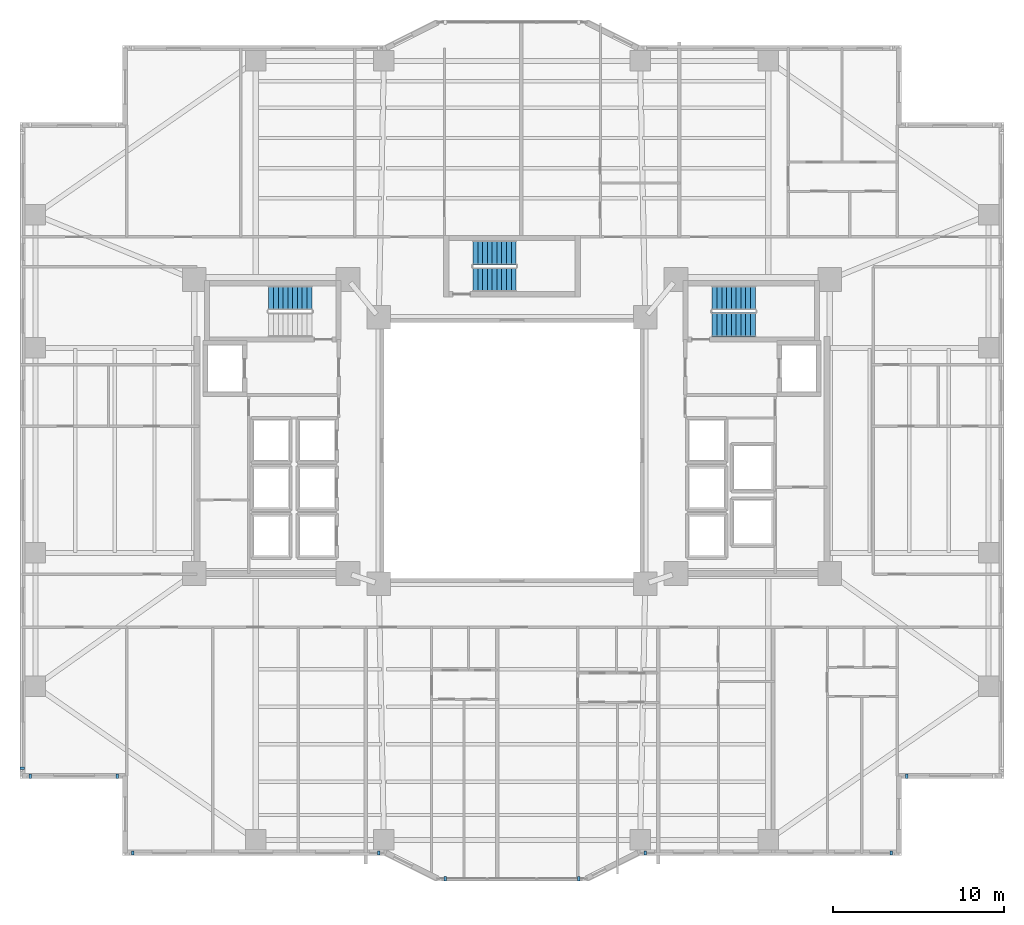
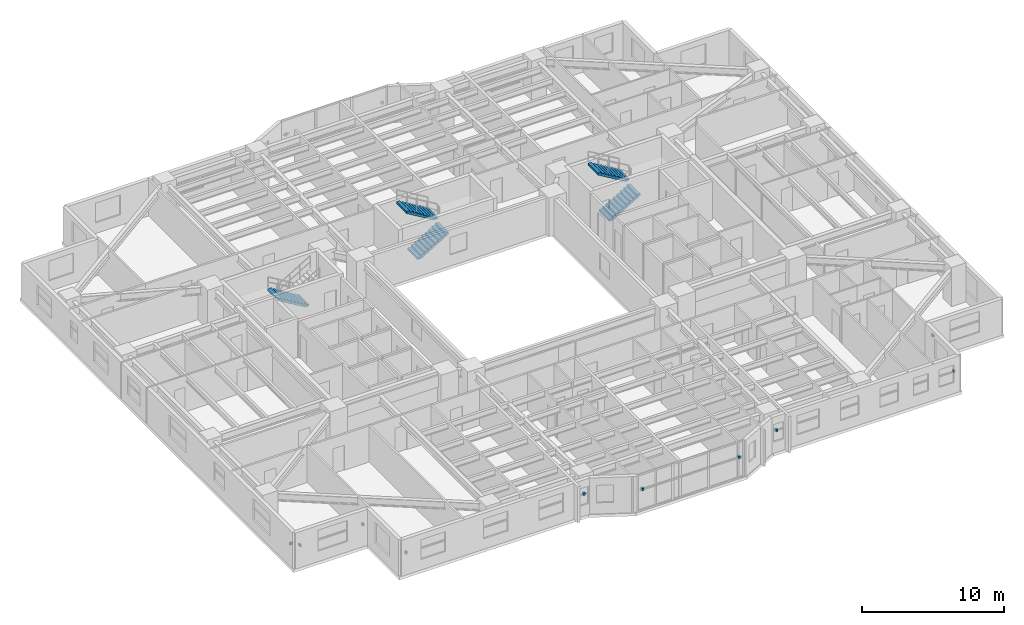
# One storey, part 16 of 21: 10 discrete accessories, 5 stair flights, 3 elements without a shape of their own.
"""IFC4 building model written with IfcOpenShell, lengths in metres."""

from ifc_helpers import new_model, si_unit, direction, frame, origin, origin_2d, place, context, subcontext, project, spatial, polyline, rectangle, outline, extrude, material, type_object, element, aggregate, save


model = new_model("IFC4")

# Units and contexts
model_context = context("Model", 3, precision=1e-05, world=origin(), true_north=direction((0.0, 1.0)))
body_context = subcontext(model_context, "Body", "Model", "MODEL_VIEW")
ifc_project = project(units=[si_unit("LENGTHUNIT", "METRE"), si_unit("AREAUNIT", "SQUARE_METRE"), si_unit("VOLUMEUNIT", "CUBIC_METRE"), si_unit("PLANEANGLEUNIT", "RADIAN"), si_unit("MASSUNIT", "GRAM", prefix="KILO")], contexts=[model_context])

# Site, building, storey
site_placement = place(None, origin())
site = spatial("IfcSite", under=ifc_project, at=site_placement, CompositionType="ELEMENT")
building_placement = place(site_placement, origin())
building = spatial("IfcBuilding", under=site, at=building_placement, Name="Tarnavaz Court Tower", CompositionType="ELEMENT")
storey_placement = place(building_placement, frame((0.0, 0.0, 44.10009765625)))
storey = spatial("IfcBuildingStorey", under=building, at=storey_placement, Name="L11", CompositionType="ELEMENT", Elevation=44.10009765625)

# Stair, stair flight
ifc_material_1 = material(Name="Concrete C40/50", Category="concrete")
stair_type = type_object("IfcStairType", Name="ST-TWR-20R", PredefinedType="HALF_TURN_STAIR", material=ifc_material_1)
stair_1_placement = place(storey_placement, origin())
stair_1 = element("IfcStair", 1, at=stair_1_placement, inside=storey, type_object=stair_type, Name="L11 West Core Pressurized Exit Stair ST-W1", PredefinedType="HALF_TURN_STAIR")
stair_flight_type = type_object("IfcStairFlightType", Name="SFL-RC-20R", PredefinedType="STRAIGHT", material=ifc_material_1)
stair_flight_1_placement = place(storey_placement, frame((-11.719970703125, 8.929931640625, 0.0), z_axis=(0.0, 0.0, 1.0), x_axis=(-1.0, 0.0, 0.0)))
stair_flight_1 = element("IfcStairFlight", 2, at=stair_flight_1_placement, type_object=stair_flight_type, Name="ST-W1 flight 1", NumberOfRisers=10, NumberOfTreads=9, PredefinedType="STRAIGHT", RiserHeight=0.1675, TreadLength=0.28, context=body_context, shape_type="SweptSolid", body=[
    extrude(outline(polyline([(0.0, 0.0), (0.0, 0.16748046875), (0.280029296875, 0.16748046875), (0.280029296875, 0.3349609375), (0.56005859375, 0.3349609375), (0.56005859375, 0.50244140625), (0.840087890625, 0.50244140625), (0.840087890625, 0.669921875), (1.1201171875, 0.669921875), (1.1201171875, 0.83740234375), (1.39990234375, 0.83740234375), (1.39990234375, 1.0048828125), (1.679931640625, 1.0048828125), (1.679931640625, 1.172607421875), (1.9599609375, 1.172607421875), (1.9599609375, 1.340087890625), (2.239990234375, 1.340087890625), (2.239990234375, 1.507568359375), (2.52001953125, 1.507568359375), (2.52001953125, 1.675048828125), (2.52001953125, 1.332763671875), (0.2919921875, 0.0), (0.0, 0.0)])), frame((0.0, 0.7099609375, 0.0), z_axis=(0.0, -1.0, 0.0), x_axis=(1.0, 0.0, 0.0)), (0.0, 0.0, 1.0), 1.419921875),
])
aggregate(stair_1, [stair_flight_1])

# Stair, stair flights
stair_2_placement = place(storey_placement, origin())
stair_2 = element("IfcStair", 3, at=stair_2_placement, inside=storey, type_object=stair_type, Name="L11 East Core Pressurized Exit Stair ST-E1", PredefinedType="HALF_TURN_STAIR")
stair_flight_2_placement = place(storey_placement, frame((11.719970703125, 7.360107421875, 0.0), z_axis=(0.0, 0.0, 1.0), x_axis=(1.0, 0.0, 0.0)))
stair_flight_2 = element("IfcStairFlight", 4, at=stair_flight_2_placement, type_object=stair_flight_type, Name="ST-E1 flight 1", NumberOfRisers=10, NumberOfTreads=9, PredefinedType="STRAIGHT", RiserHeight=0.1675, TreadLength=0.28, context=body_context, shape_type="SweptSolid", body=[
    extrude(outline(polyline([(0.0, 0.0), (0.0, 0.16748046875), (0.280029296875, 0.16748046875), (0.280029296875, 0.3349609375), (0.56005859375, 0.3349609375), (0.56005859375, 0.50244140625), (0.840087890625, 0.50244140625), (0.840087890625, 0.669921875), (1.1201171875, 0.669921875), (1.1201171875, 0.83740234375), (1.39990234375, 0.83740234375), (1.39990234375, 1.0048828125), (1.679931640625, 1.0048828125), (1.679931640625, 1.172607421875), (1.9599609375, 1.172607421875), (1.9599609375, 1.340087890625), (2.239990234375, 1.340087890625), (2.239990234375, 1.507568359375), (2.52001953125, 1.507568359375), (2.52001953125, 1.675048828125), (2.52001953125, 1.332763671875), (0.2919921875, 0.0), (0.0, 0.0)])), frame((0.0, 0.7099609375, 0.0), z_axis=(0.0, -1.0, 0.0), x_axis=(1.0, 0.0, 0.0)), (0.0, 0.0, 1.0), 1.419921875),
])
stair_flight_3_placement = place(storey_placement, frame((14.239990234375, 8.929931640625, 1.6748046875), z_axis=(0.0, 0.0, 1.0), x_axis=(-1.0, 0.0, 0.0)))
stair_flight_3 = element("IfcStairFlight", 5, at=stair_flight_3_placement, type_object=stair_flight_type, Name="ST-E1 flight 2", NumberOfRisers=10, NumberOfTreads=9, PredefinedType="STRAIGHT", RiserHeight=0.1675, TreadLength=0.28, context=body_context, shape_type="SweptSolid", body=[
    extrude(outline(polyline([(0.0, 0.0), (0.0, 0.16748046875), (0.280029296875, 0.16748046875), (0.280029296875, 0.3349609375), (0.56005859375, 0.3349609375), (0.56005859375, 0.50244140625), (0.840087890625, 0.50244140625), (0.840087890625, 0.669921875), (1.1201171875, 0.669921875), (1.1201171875, 0.83740234375), (1.39990234375, 0.83740234375), (1.39990234375, 1.0048828125), (1.679931640625, 1.0048828125), (1.679931640625, 1.172607421875), (1.9599609375, 1.172607421875), (1.9599609375, 1.340087890625), (2.239990234375, 1.340087890625), (2.239990234375, 1.507568359375), (2.52001953125, 1.507568359375), (2.52001953125, 1.675048828125), (2.52001953125, 1.332763671875), (0.2919921875, 0.0), (0.0, 0.0)])), frame((0.0, 0.7099609375, 0.0), z_axis=(0.0, -1.0, 0.0), x_axis=(1.0, 0.0, 0.0)), (0.0, 0.0, 1.0), 1.419921875),
])
aggregate(stair_2, [stair_flight_2, stair_flight_3])

stair_3_placement = place(storey_placement, origin())
stair_3 = element("IfcStair", 6, at=stair_3_placement, inside=storey, type_object=stair_type, Name="L11 North Ring Pressurized Exit Stair ST-N1", PredefinedType="HALF_TURN_STAIR")
stair_flight_4_placement = place(storey_placement, frame((-2.280029296875, 10.010009765625, 0.0), z_axis=(0.0, 0.0, 1.0), x_axis=(1.0, 0.0, 0.0)))
stair_flight_4 = element("IfcStairFlight", 7, at=stair_flight_4_placement, type_object=stair_flight_type, Name="ST-N1 flight 1", NumberOfRisers=10, NumberOfTreads=9, PredefinedType="STRAIGHT", RiserHeight=0.1675, TreadLength=0.28, context=body_context, shape_type="SweptSolid", body=[
    extrude(outline(polyline([(0.0, 0.0), (0.0, 0.16748046875), (0.280029296875, 0.16748046875), (0.280029296875, 0.3349609375), (0.56005859375, 0.3349609375), (0.56005859375, 0.50244140625), (0.840087890625, 0.50244140625), (0.840087890625, 0.669921875), (1.1201171875, 0.669921875), (1.1201171875, 0.83740234375), (1.39990234375, 0.83740234375), (1.39990234375, 1.0048828125), (1.679931640625, 1.0048828125), (1.679931640625, 1.172607421875), (1.9599609375, 1.172607421875), (1.9599609375, 1.340087890625), (2.239990234375, 1.340087890625), (2.239990234375, 1.507568359375), (2.52001953125, 1.507568359375), (2.52001953125, 1.675048828125), (2.52001953125, 1.332763671875), (0.2919921875, 0.0), (0.0, 0.0)])), frame((0.0, 0.7099609375, 0.0), z_axis=(0.0, -1.0, 0.0), x_axis=(1.0, 0.0, 0.0)), (0.0, 0.0, 1.0), 1.419921875),
])
stair_flight_5_placement = place(storey_placement, frame((0.239990234375, 11.580078125, 1.6748046875), z_axis=(0.0, 0.0, 1.0), x_axis=(-1.0, 0.0, 0.0)))
stair_flight_5 = element("IfcStairFlight", 8, at=stair_flight_5_placement, type_object=stair_flight_type, Name="ST-N1 flight 2", NumberOfRisers=10, NumberOfTreads=9, PredefinedType="STRAIGHT", RiserHeight=0.1675, TreadLength=0.28, context=body_context, shape_type="SweptSolid", body=[
    extrude(outline(polyline([(0.0, 0.0), (0.0, 0.16748046875), (0.280029296875, 0.16748046875), (0.280029296875, 0.3349609375), (0.56005859375, 0.3349609375), (0.56005859375, 0.50244140625), (0.840087890625, 0.50244140625), (0.840087890625, 0.669921875), (1.1201171875, 0.669921875), (1.1201171875, 0.83740234375), (1.39990234375, 0.83740234375), (1.39990234375, 1.0048828125), (1.679931640625, 1.0048828125), (1.679931640625, 1.172607421875), (1.9599609375, 1.172607421875), (1.9599609375, 1.340087890625), (2.239990234375, 1.340087890625), (2.239990234375, 1.507568359375), (2.52001953125, 1.507568359375), (2.52001953125, 1.675048828125), (2.52001953125, 1.332763671875), (0.2919921875, 0.0), (0.0, 0.0)])), frame((0.0, 0.7099609375, 0.0), z_axis=(0.0, -1.0, 0.0), x_axis=(1.0, 0.0, 0.0)), (0.0, 0.0, 1.0), 1.419921875),
])
aggregate(stair_3, [stair_flight_4, stair_flight_5])

# Discrete accessories
ifc_material_2 = material(Name="Anodised Aluminium 6063-T6", Category="aluminium")
discrete_accessory_type = type_object("IfcDiscreteAccessoryType", Name="DA-BRKT-ALU", PredefinedType="BRACKET", material=ifc_material_2)
for number, where, z_axis, x_axis, name in (
    (9, (-23.10009765625, -19.070068359375, 1.75), (0.0, 0.0, 1.0), (-1.0, 0.0, 0.0), "L11 Baguette Outrigger Bracket FBG01-1"),
    (10, (-28.199951171875, -19.070068359375, 1.75), (0.0, 0.0, 1.0), (-1.0, 0.0, 0.0), "L11 Baguette Outrigger Bracket FBG01-2"),
    (11, (-28.669921875, -18.60009765625, 1.75), (0.0, 0.0, 1.0), (0.0, 1.0, 0.0), "L11 Baguette Outrigger Bracket FBG02-1"),
    (12, (23.10009765625, -19.070068359375, 1.75), (0.0, 0.0, 1.0), (-1.0, 0.0, 0.0), "L11 Baguette Outrigger Bracket FBG13-2"),
    (13, (22.199951171875, -23.570068359375, 1.75), (0.0, 0.0, 1.0), (-1.0, 0.0, 0.0), "L11 Baguette Outrigger Bracket FBG15-1"),
    (14, (7.800048828125, -23.570068359375, 1.75), (0.0, 0.0, 1.0), (-1.0, 0.0, 0.0), "L11 Baguette Outrigger Bracket FBG15-2"),
    (15, (3.89990234375, -25.070068359375, 1.69970703125), (0.0, 0.0, 1.0), (-1.0, 0.0, 0.0), "L11 Baguette Outrigger Bracket PBG17-1"),
    (16, (-3.89990234375, -25.070068359375, 1.69970703125), (0.0, 0.0, 1.0), (-1.0, 0.0, 0.0), "L11 Baguette Outrigger Bracket PBG17-2"),
    (17, (-7.800048828125, -23.570068359375, 1.75), (0.0, 0.0, 1.0), (-1.0, 0.0, 0.0), "L11 Baguette Outrigger Bracket FBG19-1"),
    (18, (-22.199951171875, -23.570068359375, 1.75), (0.0, 0.0, 1.0), (-1.0, 0.0, 0.0), "L11 Baguette Outrigger Bracket FBG19-2"),
):
    element("IfcDiscreteAccessory", number, at=place(storey_placement, frame(where, z_axis=z_axis, x_axis=x_axis)), inside=storey, type_object=discrete_accessory_type, Name=name, PredefinedType="BRACKET", context=body_context, shape_type="SweptSolid", body=[
        extrude(rectangle(XDim=0.139892578125, YDim=0.239990234375, at=origin_2d()), origin(), (0.0, 0.0, 1.0), 0.199951171875),
    ])

save(model, "model.ifc")
